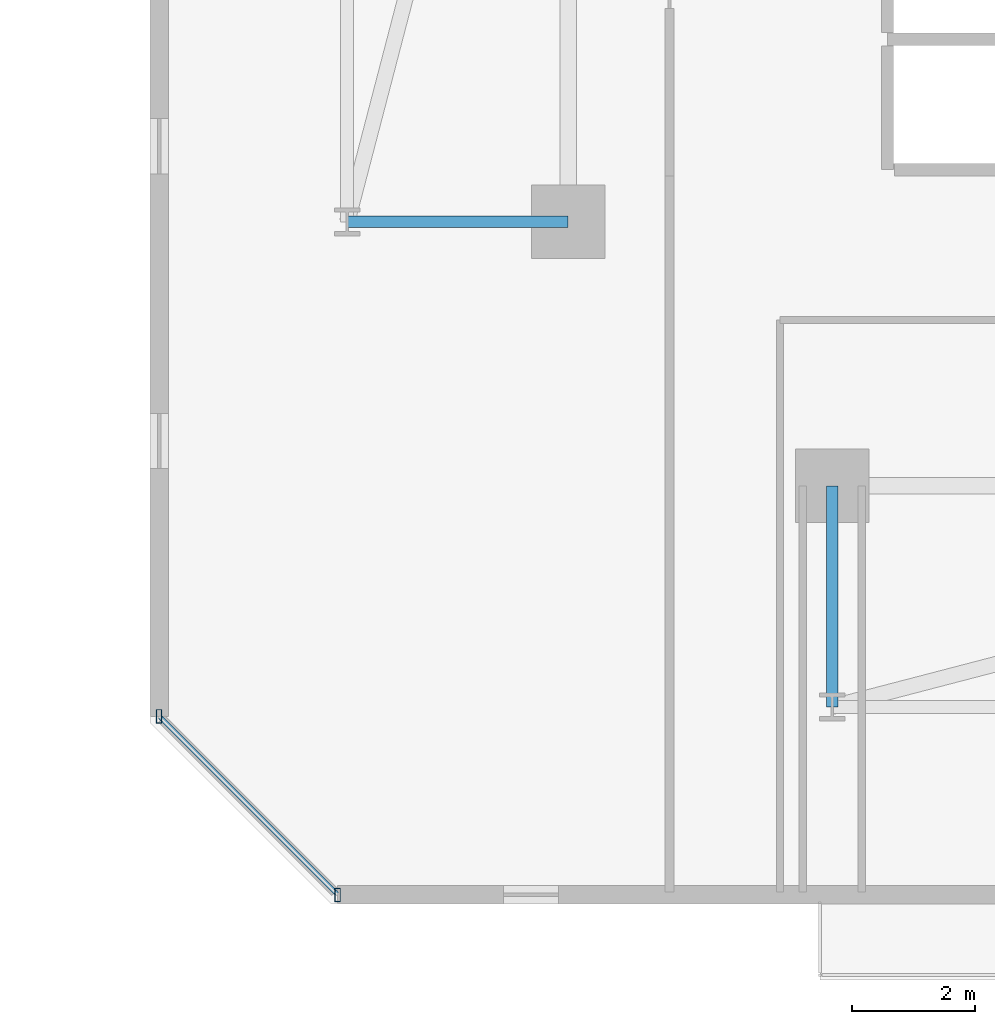
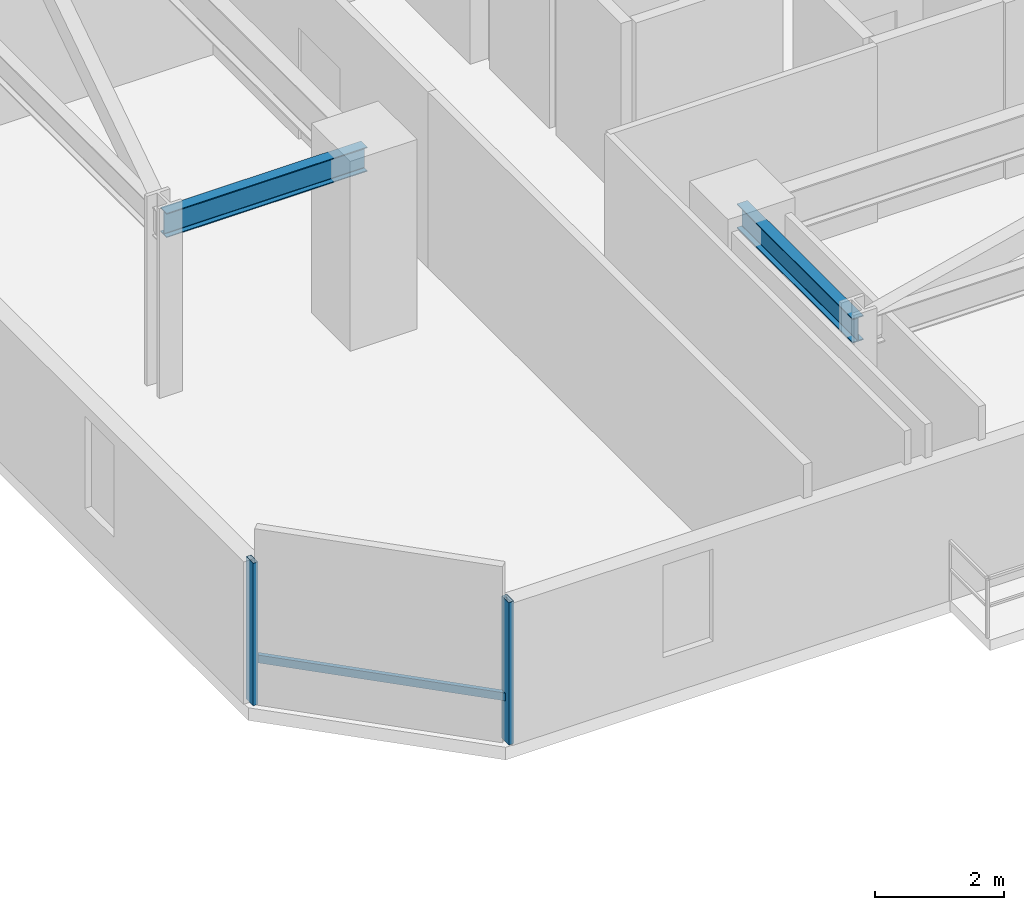
# One storey, part 11 of 33: 3 members, 2 beams, 1 element without a shape of its own.
"""IFC4 building model written with IfcOpenShell, lengths in metres."""

from ifc_helpers import new_model, si_unit, direction, frame, origin, origin_2d, place, context, subcontext, project, spatial, hollow_rectangle, i_section, extrude, material, material_profile, profile_set, type_object, element, aggregate, save


model = new_model("IFC4")

# Units and contexts
model_context = context("Model", 3, precision=1e-05, world=origin(), true_north=direction((0.0, 1.0)))
body_context = subcontext(model_context, "Body", "Model", "MODEL_VIEW")
ifc_project = project(units=[si_unit("LENGTHUNIT", "METRE"), si_unit("AREAUNIT", "SQUARE_METRE"), si_unit("VOLUMEUNIT", "CUBIC_METRE"), si_unit("PLANEANGLEUNIT", "RADIAN"), si_unit("MASSUNIT", "GRAM", prefix="KILO")], contexts=[model_context])

# Site, building, storey
site_placement = place(None, origin())
site = spatial("IfcSite", under=ifc_project, at=site_placement, CompositionType="ELEMENT")
building_placement = place(site_placement, origin())
building = spatial("IfcBuilding", under=site, at=building_placement, Name="Thornwick Lancets Civic Towers", CompositionType="ELEMENT")
storey_placement = place(building_placement, frame((0.0, 0.0, 112.5)))
storey = spatial("IfcBuildingStorey", under=building, at=storey_placement, Name="L29", CompositionType="ELEMENT", Elevation=112.5)

# Beams
ifc_material_1 = material(Name="Steel S355JR", Category="steel")
ifc_material_profile_1 = material_profile(ifc_material_1, i_section(OverallWidth=0.19189453125, OverallDepth=0.46337890625, WebThickness=0.010498046875, FlangeThickness=0.017578125, FilletRadius=0.01025390625, at=origin_2d()), Name="UKB 457x191x89")
ifc_profile_set_1 = profile_set([ifc_material_profile_1], Name="Steel S355JR")
beam_type = type_object("IfcBeamType", Name="BM_JOIST_457_89", PredefinedType="JOIST", material=ifc_profile_set_1)
for number, where, z_axis, x_axis, name in (
    (1, (71.199951171875, 14.0, 3.12841796875), (-1.0, 0.0, 0.0), (0.0, -1.0, 0.0), "BM-RAD-L29-B07"),
    (2, (75.5, 9.699951171875, 3.12841796875), (0.0, -1.0, 0.0), (1.0, 0.0, 0.0), "BM-RAD-L29-B12"),
):
    element("IfcBeam", number, at=place(storey_placement, frame(where, z_axis=z_axis, x_axis=x_axis)), inside=storey, type_object=beam_type, Name=name, PredefinedType="JOIST", context=body_context, shape_type="SweptSolid", body=[
        extrude(i_section(OverallWidth=0.19189453125, OverallDepth=0.46337890625, WebThickness=0.010498046875, FlangeThickness=0.017578125, FilletRadius=0.01025390625, at=origin_2d()), origin(), (0.0, 0.0, 1.0), 3.599853515625),
    ])

# Curtain wall, members
ifc_material_2 = material(Name="Low-zone chamfered-corner unitised glass curtain wall", Category="glass")
curtain_wall_type = type_object("IfcCurtainWallType", Name="CW_SYS_03", PredefinedType="NOTDEFINED", material=ifc_material_2)
curtain_wall_placement = place(storey_placement, origin())
curtain_wall = element("IfcCurtainWall", 3, at=curtain_wall_placement, inside=storey, type_object=curtain_wall_type, Name="L29 Curtain Wall CW-L29-B-E7", PredefinedType="NOTDEFINED")
ifc_material_3 = material(Name="Thermally broken bronze aluminium S355", Category="steel")
ifc_material_profile_2 = material_profile(ifc_material_3, hollow_rectangle(XDim=0.090087890625, YDim=0.219970703125, WallThickness=0.00634765625, at=origin_2d()), Name="RHS 220x90x6.3")
ifc_profile_set_2 = profile_set([ifc_material_profile_2], Name="Thermally broken bronze aluminium S355")
member_type_1 = type_object("IfcMemberType", Name="CW_MUL_220", PredefinedType="MULLION", material=ifc_profile_set_2)
member_1_placement = place(storey_placement, frame((64.536376953125, 5.944580078125, 0.0), z_axis=(0.0, 0.0, 1.0), x_axis=(1.0, 0.0, 0.0)))
member_1 = element("IfcMember", 4, at=member_1_placement, type_object=member_type_1, Name="CW-L29-B-E7 Mullion 0", PredefinedType="MULLION", context=body_context, shape_type="SweptSolid", body=[
    extrude(hollow_rectangle(XDim=0.090087890625, YDim=0.219970703125, WallThickness=0.00634765625, at=origin_2d()), origin(), (0.0, 0.0, 1.0), 2.699951171875),
])
member_2_placement = place(storey_placement, frame((67.444580078125, 3.036376953125, 0.0), z_axis=(0.0, 0.0, 1.0), x_axis=(1.0, 0.0, 0.0)))
member_2 = element("IfcMember", 5, at=member_2_placement, type_object=member_type_1, Name="CW-L29-B-E7 Mullion 1", PredefinedType="MULLION", context=body_context, shape_type="SweptSolid", body=[
    extrude(hollow_rectangle(XDim=0.090087890625, YDim=0.219970703125, WallThickness=0.00634765625, at=origin_2d()), origin(), (0.0, 0.0, 1.0), 2.699951171875),
])
ifc_material_profile_3 = material_profile(ifc_material_3, hollow_rectangle(XDim=0.074951171875, YDim=0.14990234375, WallThickness=0.0048828125, at=origin_2d()), Name="RHS 150x75x5")
ifc_profile_set_3 = profile_set([ifc_material_profile_3], Name="Thermally broken bronze aluminium S355")
member_type_2 = type_object("IfcMemberType", Name="CW_TRN_150", PredefinedType="USERDEFINED", material=ifc_profile_set_3)
member_3_placement = place(storey_placement, frame((64.550537109375, 5.930419921875, 0.85009765625), z_axis=(0.707106781187, -0.707106781187, 0.0), x_axis=(0.707106781187, 0.707106781187, 0.0)))
member_3 = element("IfcMember", 6, at=member_3_placement, type_object=member_type_2, Name="CW-L29-B-E7 Transom 0", ObjectType="TRANSOM", PredefinedType="USERDEFINED", context=body_context, shape_type="SweptSolid", body=[
    extrude(hollow_rectangle(XDim=0.074951171875, YDim=0.14990234375, WallThickness=0.0048828125, at=origin_2d()), origin(), (0.0, 0.0, 1.0), 4.07275390625),
])
aggregate(curtain_wall, [member_1, member_2, member_3])

save(model, "model.ifc")
